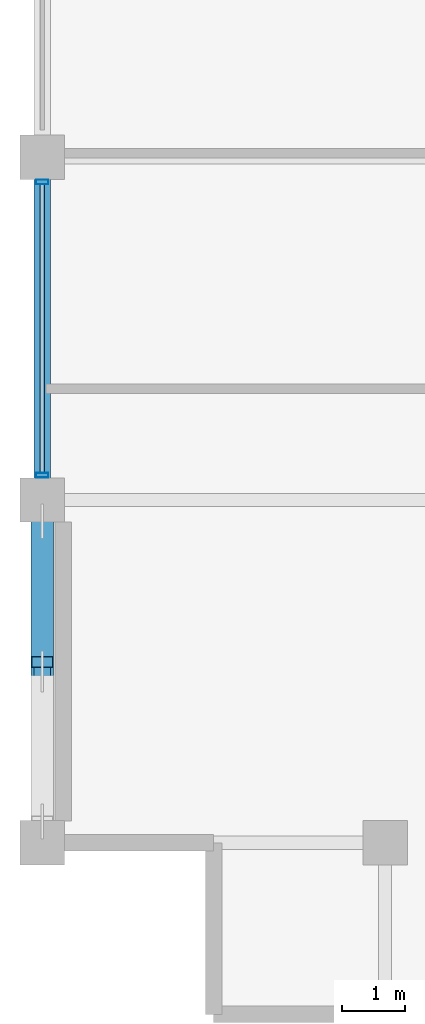
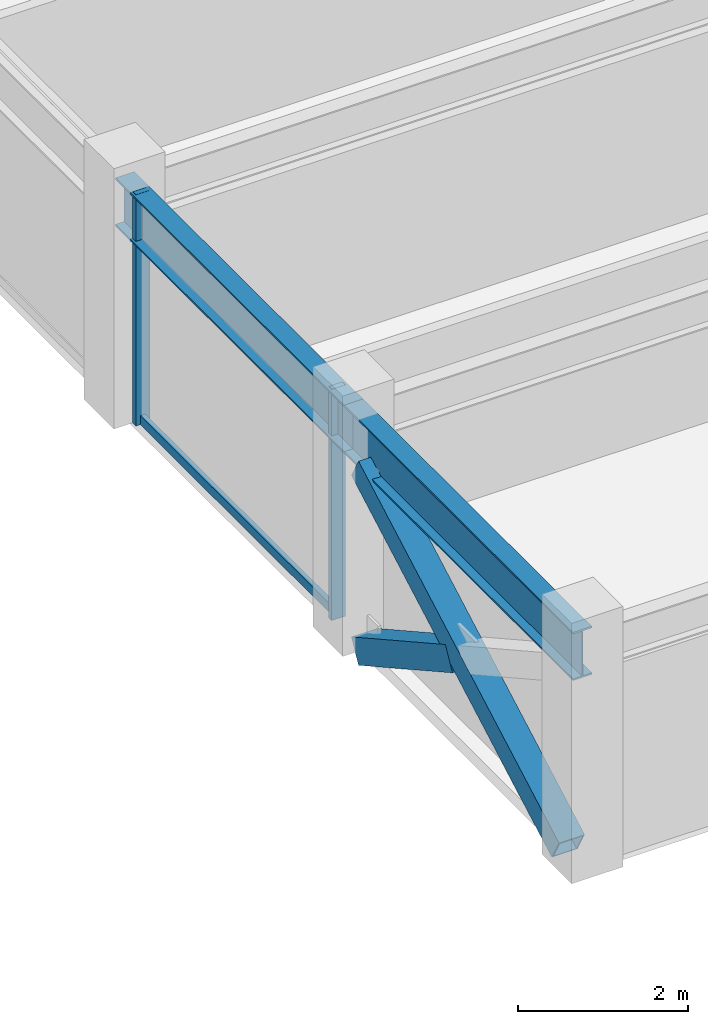
# One storey, part 4 of 31: 5 members, 2 beams, 1 element without a shape of its own.
"""IFC4 building model written with IfcOpenShell, lengths in metres."""

from ifc_helpers import new_model, si_unit, direction, frame, origin, origin_2d, place, context, subcontext, project, spatial, hollow_rectangle, i_section, extrude, material, layer, layer_set, material_profile, profile_set, type_object, element, aggregate, save


model = new_model("IFC4")

# Units and contexts
model_context = context("Model", 3, precision=1e-05, world=origin(), true_north=direction((0.0, 1.0)))
body_context = subcontext(model_context, "Body", "Model", "MODEL_VIEW")
ifc_project = project(units=[si_unit("LENGTHUNIT", "METRE"), si_unit("AREAUNIT", "SQUARE_METRE"), si_unit("VOLUMEUNIT", "CUBIC_METRE"), si_unit("PLANEANGLEUNIT", "RADIAN"), si_unit("MASSUNIT", "GRAM", prefix="KILO")], contexts=[model_context])

# Site, building, storey
site_placement = place(None, origin())
site = spatial("IfcSite", under=ifc_project, at=site_placement, CompositionType="ELEMENT")
building_placement = place(site_placement, origin())
building = spatial("IfcBuilding", under=site, at=building_placement, Name="Surkhivell Harbour Commons", CompositionType="ELEMENT")
storey_placement = place(building_placement, frame((0.0, 0.0, 333.75)))
storey = spatial("IfcBuildingStorey", under=building, at=storey_placement, Name="L87", CompositionType="ELEMENT", Elevation=333.75)

# Beams
ifc_material_1 = material(Name="Steel S355", Category="steel")
ifc_material_profile_1 = material_profile(ifc_material_1, i_section(OverallWidth=0.256103515625, OverallDepth=0.693115234375, WebThickness=0.014404296875, FlangeThickness=0.023681640625, at=origin_2d()), Name="UB686x254x170")
ifc_profile_set_1 = profile_set([ifc_material_profile_1], Name="Steel S355")
beam_type = type_object("IfcBeamType", Name="BM-SPN-686", PredefinedType="SPANDREL", material=ifc_profile_set_1)
beam_1_placement = place(storey_placement, frame((-27.0, -16.199951171875, 2.9833984375), z_axis=(0.0, 1.0, 0.0), x_axis=(-1.0, 0.0, 0.0)))
element("IfcBeam", 1, at=beam_1_placement, inside=storey, type_object=beam_type, Name="L87 Tube Spandrel (-27.0,-16.2)", PredefinedType="SPANDREL", context=body_context, shape_type="SweptSolid", body=[
    extrude(i_section(OverallWidth=0.256103515625, OverallDepth=0.693115234375, WebThickness=0.014404296875, FlangeThickness=0.023681640625, at=origin_2d()), origin(), (0.0, 0.0, 1.0), 5.39990234375),
])
beam_2_placement = place(storey_placement, frame((-27.0, -10.800048828125, 2.9833984375), z_axis=(0.0, 1.0, 0.0), x_axis=(-1.0, 0.0, 0.0)))
element("IfcBeam", 2, at=beam_2_placement, inside=storey, type_object=beam_type, Name="L87 Tube Spandrel (-27.0,-10.8)", PredefinedType="SPANDREL", context=body_context, shape_type="SweptSolid", body=[
    extrude(i_section(OverallWidth=0.256103515625, OverallDepth=0.693115234375, WebThickness=0.014404296875, FlangeThickness=0.023681640625, at=origin_2d()), origin(), (0.0, 0.0, 1.0), 5.400146484375),
])

# Curtain wall, members
ifc_material_2 = material(Name="Anodised pale-metal aluminium and insulated glazing", Category="aluminium")
ifc_layer = layer(ifc_material_2, 0.175048828125)
ifc_layer_set = layer_set([ifc_layer], Name="Anodised pale-metal aluminium and insulated glazing")
curtain_wall_type = type_object("IfcCurtainWallType", Name="CW-SYS-Z4", PredefinedType="NOTDEFINED", material=ifc_layer_set)
curtain_wall_placement = place(storey_placement, origin())
curtain_wall = element("IfcCurtainWall", 3, at=curtain_wall_placement, inside=storey, type_object=curtain_wall_type, Name="L87 Curtain Wall CW-L87-E12S1", PredefinedType="NOTDEFINED")
ifc_material_3 = material(Name="Anodised pale-metal aluminium alloy 6063-T6", Category="aluminium")
ifc_material_profile_2 = material_profile(ifc_material_3, hollow_rectangle(XDim=0.074951171875, YDim=0.18994140625, WallThickness=0.00390625, at=origin_2d()), Name="ALU-MULL-75x190")
ifc_profile_set_2 = profile_set([ifc_material_profile_2], Name="Anodised pale-metal aluminium alloy 6063-T6")
member_type_1 = type_object("IfcMemberType", Name="CWM-190", PredefinedType="MULLION", material=ifc_profile_set_2)
member_1_placement = place(storey_placement, frame((-27.0, -5.78955078125, 0.0), z_axis=(0.0, 0.0, 1.0), x_axis=(0.0, -1.0, 0.0)))
member_1 = element("IfcMember", 4, at=member_1_placement, type_object=member_type_1, Name="CW-Z4 mullion 6", PredefinedType="MULLION", context=body_context, shape_type="SweptSolid", body=[
    extrude(hollow_rectangle(XDim=0.074951171875, YDim=0.18994140625, WallThickness=0.00390625, at=origin_2d()), origin(), (0.0, 0.0, 1.0), 3.330078125),
])
member_2_placement = place(storey_placement, frame((-27.0, -10.410400390625, 0.0), z_axis=(0.0, 0.0, 1.0), x_axis=(0.0, -1.0, 0.0)))
member_2 = element("IfcMember", 5, at=member_2_placement, type_object=member_type_1, Name="CW-Z4 mullion 7", PredefinedType="MULLION", context=body_context, shape_type="SweptSolid", body=[
    extrude(hollow_rectangle(XDim=0.074951171875, YDim=0.18994140625, WallThickness=0.00390625, at=origin_2d()), origin(), (0.0, 0.0, 1.0), 3.330078125),
])
ifc_material_4 = material(Name="Champagne anodised aluminium alloy 6063-T6", Category="aluminium")
ifc_material_profile_3 = material_profile(ifc_material_4, hollow_rectangle(XDim=0.070068359375, YDim=0.1298828125, WallThickness=0.00341796875, at=origin_2d()), Name="ALU-TRAN-70x130")
ifc_profile_set_3 = profile_set([ifc_material_profile_3], Name="Champagne anodised aluminium alloy 6063-T6")
member_type_2 = type_object("IfcMemberType", Name="CWT-130", PredefinedType="USERDEFINED", material=ifc_profile_set_3)
member_3_placement = place(storey_placement, frame((-27.0, -5.826904296875, 0.06494140625), z_axis=(0.0, -1.0, 0.0), x_axis=(1.0, 0.0, 0.0)))
member_3 = element("IfcMember", 6, at=member_3_placement, type_object=member_type_2, Name="CW-Z4 transom 6.1", ObjectType="TRANSOM", PredefinedType="USERDEFINED", context=body_context, shape_type="SweptSolid", body=[
    extrude(hollow_rectangle(XDim=0.070068359375, YDim=0.1298828125, WallThickness=0.00341796875, at=origin_2d()), origin(), (0.0, 0.0, 1.0), 4.546142578125),
])
aggregate(curtain_wall, [member_1, member_2, member_3])

# Members
ifc_material_profile_4 = material_profile(ifc_material_1, hollow_rectangle(XDim=0.35009765625, YDim=0.35009765625, WallThickness=0.01611328125, at=origin_2d()), Name="SHS350x350x16")
ifc_profile_set_4 = profile_set([ifc_material_profile_4], Name="Steel S355")
member_type_3 = type_object("IfcMemberType", Name="MEM-BRC-SHS350", PredefinedType="BRACE", material=ifc_profile_set_4)
member_4_placement = place(storey_placement, frame((-27.0, -15.864990234375, 0.008056640625), z_axis=(0.0, 0.873742134314, 0.486389435252), x_axis=(-1.0, 0.0, 0.0)))
element("IfcMember", 7, at=member_4_placement, inside=storey, type_object=member_type_3, Name="L87 Perimeter Mega-Brace MB- 10", PredefinedType="BRACE", context=body_context, shape_type="SweptSolid", body=[
    extrude(hollow_rectangle(XDim=0.35009765625, YDim=0.35009765625, WallThickness=0.01611328125, at=origin_2d()), origin(), (0.0, 0.0, 1.0), 5.41357421875),
])
member_5_placement = place(storey_placement, frame((-27.0, -11.135009765625, 0.008056640625), z_axis=(0.0, -0.873739641, 0.486393914173), x_axis=(1.0, 0.0, 0.0)))
element("IfcMember", 8, at=member_5_placement, inside=storey, type_object=member_type_3, Name="L87 Perimeter Mega-Brace MB- 11", PredefinedType="BRACE", context=body_context, shape_type="SweptSolid", body=[
    extrude(hollow_rectangle(XDim=0.35009765625, YDim=0.35009765625, WallThickness=0.01611328125, at=origin_2d()), origin(), (0.0, 0.0, 1.0), 2.538818359375),
])

save(model, "model.ifc")
